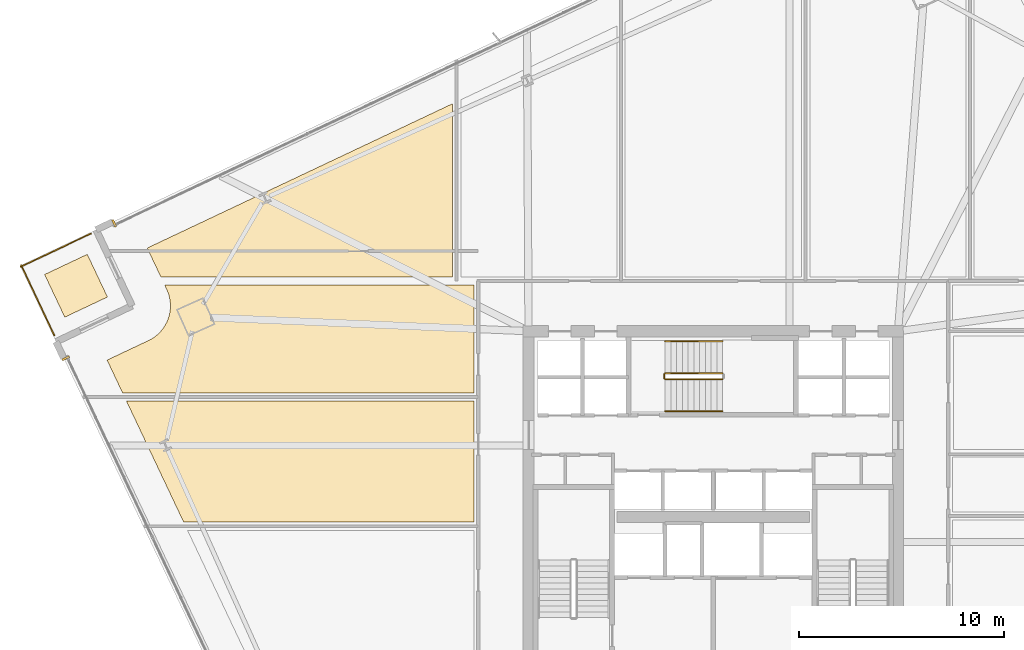
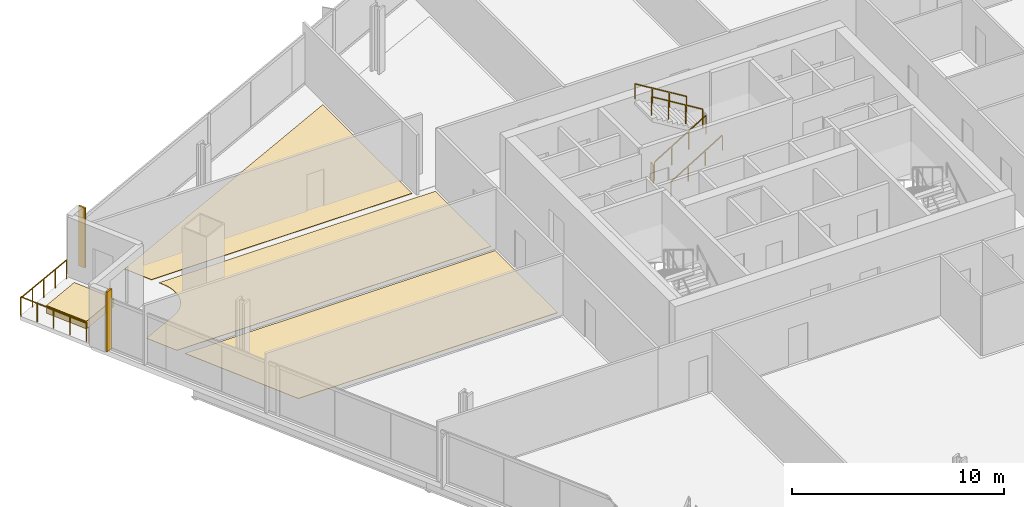
# One storey, part 32 of 34: 7 railings, 6 coverings.
"""IFC4 building model written with IfcOpenShell, lengths in metres."""

from ifc_helpers import new_model, si_unit, direction, frame, origin, origin_2d, place, context, subcontext, project, spatial, polyline, rectangle, outline, extrude, source, transform, mapped, material, layer, layer_set, type_object, element, save


model = new_model("IFC4")

# Units and contexts
model_context = context("Model", 3, precision=1e-05, world=origin(), true_north=direction((0.0, 1.0)))
body_context = subcontext(model_context, "Body", "Model", "MODEL_VIEW")
ifc_project = project(units=[si_unit("LENGTHUNIT", "METRE"), si_unit("AREAUNIT", "SQUARE_METRE"), si_unit("VOLUMEUNIT", "CUBIC_METRE"), si_unit("PLANEANGLEUNIT", "RADIAN"), si_unit("MASSUNIT", "GRAM", prefix="KILO")], contexts=[model_context])

# Site, building, storey
site_placement = place(None, origin())
site = spatial("IfcSite", under=ifc_project, at=site_placement, CompositionType="ELEMENT")
building_placement = place(site_placement, origin())
building = spatial("IfcBuilding", under=site, at=building_placement, Name="Haldenkirk Collegiate Tower", CompositionType="ELEMENT")
storey_placement = place(building_placement, frame((0.0, 0.0, 112.949951171875)))
storey = spatial("IfcBuildingStorey", under=building, at=storey_placement, Name="L27", CompositionType="ELEMENT", Elevation=112.949951171875)

# Coverings
ifc_material_1 = material(Name="Polished collegiate terrazzo", Category="concrete")
ifc_layer_1 = layer(ifc_material_1, 0.02490234375)
ifc_layer_set_1 = layer_set([ifc_layer_1], Name="Polished collegiate terrazzo")
covering_type_1 = type_object("IfcCoveringType", Name="COV-FLOOR-TERRAZZO", PredefinedType="FLOORING", material=ifc_layer_set_1)
covering_1_placement = place(storey_placement, origin())
element("IfcCovering", 1, at=covering_1_placement, inside=storey, type_object=covering_type_1, Name="L27 academic room finish 04", PredefinedType="FLOORING", context=body_context, shape_type="SweptSolid", body=[
    extrude(outline(polyline([(23.300048828125, 45.0830078125), (23.300048828125, 36.64990234375), (9.087158203125, 36.64990234375), (8.4248046875, 38.051513671875), (23.300048828125, 45.0830078125)])), origin(), (0.0, 0.0, 1.0), 0.025146484375),
])
covering_2_placement = place(storey_placement, origin())
element("IfcCovering", 2, at=covering_2_placement, inside=storey, type_object=covering_type_1, Name="L27 academic room finish 10", PredefinedType="FLOORING", context=body_context, shape_type="SweptSolid", body=[
    extrude(outline(polyline([(7.412109375, 30.60009765625), (24.35009765625, 30.60009765625), (24.35009765625, 24.699951171875), (10.200927734375, 24.699951171875), (7.412109375, 30.60009765625)])), origin(), (0.0, 0.0, 1.0), 0.025146484375),
])
ifc_material_2 = material(Name="Engineered collegiate oak acoustic flooring", Category="wood")
ifc_layer_2 = layer(ifc_material_2, 0.02197265625)
ifc_layer_set_2 = layer_set([ifc_layer_2], Name="Engineered collegiate oak acoustic flooring")
covering_type_2 = type_object("IfcCoveringType", Name="COV-FLOOR-TIMBER", PredefinedType="FLOORING", material=ifc_layer_set_2)
covering_3_placement = place(storey_placement, origin())
element("IfcCovering", 3, at=covering_3_placement, inside=storey, type_object=covering_type_2, Name="L27 academic room finish 11", PredefinedType="FLOORING", context=body_context, shape_type="SweptSolid", body=[
    extrude(outline(polyline([(8.486328125, 33.545654296875), (8.491455078125, 33.548095703125), (8.64306640625, 33.629150390625), (8.6533203125, 33.63525390625), (8.7958984375, 33.730712890625), (8.805419921875, 33.737548828125), (8.938232421875, 33.846435546875), (8.947021484375, 33.8544921875), (9.068359375, 33.975830078125), (9.076171875, 33.984619140625), (9.185302734375, 34.1171875), (9.1923828125, 34.126708984375), (9.28759765625, 34.26953125), (9.293701171875, 34.279541015625), (9.374755859375, 34.430908203125), (9.379638671875, 34.441650390625), (9.445556640625, 34.600341796875), (9.449462890625, 34.611328125), (9.49951171875, 34.775634765625), (9.502197265625, 34.787109375), (9.535888671875, 34.95556640625), (9.53759765625, 34.96728515625), (9.554443359375, 35.13818359375), (9.554931640625, 35.14990234375), (9.554931640625, 35.32177734375), (9.554443359375, 35.33349609375), (9.53759765625, 35.50439453125), (9.535888671875, 35.515869140625), (9.50244140625, 35.684326171875), (9.49951171875, 35.69580078125), (9.44970703125, 35.8603515625), (9.44580078125, 35.87109375), (9.380126953125, 36.02978515625), (9.377685546875, 36.035400390625), (9.2763671875, 36.25), (24.35009765625, 36.25), (24.35009765625, 31.0), (7.222900390625, 31.0), (6.47021484375, 32.592529296875), (8.486328125, 33.545654296875)])), origin(), (0.0, 0.0, 1.0), 0.02197265625),
])
ifc_material_3 = material(Name="Precast concrete f'c 40 MPa", Category="concrete")
ifc_layer_3 = layer(ifc_material_3, 0.449951171875)
ifc_layer_set_3 = layer_set([ifc_layer_3], Name="Precast concrete f'c 40 MPa")
covering_type_3 = type_object("IfcCoveringType", Name="COV-PLANTER-450", PredefinedType="USERDEFINED", material=ifc_layer_set_3)
covering_4_placement = place(storey_placement, origin())
element("IfcCovering", 4, at=covering_4_placement, inside=storey, type_object=covering_type_3, Name="L27 planted garden planter bed", ObjectType="PLANTER", PredefinedType="USERDEFINED", context=body_context, shape_type="SweptSolid", body=[
    extrude(outline(polyline([(4.409423828125, 34.682373046875), (3.426513671875, 36.76171875), (5.505859375, 37.74462890625), (6.48876953125, 35.665283203125), (4.409423828125, 34.682373046875)])), origin(), (0.0, 0.0, 1.0), 0.449951171875),
])

# Railings
ifc_material_4 = material(Name="Painted architectural tubular steel", Category="steel")
railing_type_1 = type_object("IfcRailingType", Name="RLG-STAIR-GUARD-1100", PredefinedType="BALUSTRADE", material=ifc_material_4)
railing_1_placement = place(storey_placement, frame((33.64990234375, 31.64990234375, 0.17041015625)))
element("IfcRailing", 5, at=railing_1_placement, inside=storey, type_object=railing_type_1, Name="L27 ST-3 stair guard 1", PredefinedType="BALUSTRADE", context=body_context, shape_type="SweptSolid", body=[
    extrude(rectangle(XDim=0.048095703125, YDim=0.048095703125, at=origin_2d()), frame((0.0, 0.0, 1.076171875), z_axis=(0.854169791009, 0.0, 0.51999420009), x_axis=(0.0, 1.0, 0.0)), (0.0, 0.0, 1.0), 3.278076171875),
    extrude(rectangle(XDim=0.0419921875, YDim=0.0419921875, at=origin_2d()), origin(), (0.0, 0.0, 1.0), 1.052001953125),
    extrude(rectangle(XDim=0.0419921875, YDim=0.0419921875, at=origin_2d()), frame((0.933349609375, 0.0, 0.568115234375)), (0.0, 0.0, 1.0), 1.052001953125),
    extrude(rectangle(XDim=0.0419921875, YDim=0.0419921875, at=origin_2d()), frame((1.86669921875, 0.0, 1.136474609375)), (0.0, 0.0, 1.0), 1.052001953125),
    extrude(rectangle(XDim=0.0419921875, YDim=0.0419921875, at=origin_2d()), frame((2.800048828125, 0.0, 1.70458984375)), (0.0, 0.0, 1.0), 1.052001953125),
])
railing_2_placement = place(storey_placement, frame((36.449951171875, 31.949951171875, 2.04541015625)))
element("IfcRailing", 6, at=railing_2_placement, inside=storey, type_object=railing_type_1, Name="L27 ST-3 stair guard 3", PredefinedType="BALUSTRADE", context=body_context, shape_type="SweptSolid", body=[
    extrude(rectangle(XDim=0.048095703125, YDim=0.048095703125, at=origin_2d()), frame((0.0, 0.0, 1.076171875), z_axis=(-0.854169791009, 0.0, 0.51999420009), x_axis=(0.0, -1.0, 0.0)), (0.0, 0.0, 1.0), 3.278076171875),
    extrude(rectangle(XDim=0.0419921875, YDim=0.0419921875, at=origin_2d()), origin(), (0.0, 0.0, 1.0), 1.052001953125),
    extrude(rectangle(XDim=0.0419921875, YDim=0.0419921875, at=origin_2d()), frame((-0.933349609375, 0.0, 0.568115234375)), (0.0, 0.0, 1.0), 1.052001953125),
    extrude(rectangle(XDim=0.0419921875, YDim=0.0419921875, at=origin_2d()), frame((-1.86669921875, 0.0, 1.136474609375)), (0.0, 0.0, 1.0), 1.052001953125),
    extrude(rectangle(XDim=0.0419921875, YDim=0.0419921875, at=origin_2d()), frame((-2.800048828125, 0.0, 1.70458984375)), (0.0, 0.0, 1.0), 1.052001953125),
])
railing_3_placement = place(storey_placement, frame((33.60009765625, 31.699951171875, 0.0)))
element("IfcRailing", 7, at=railing_3_placement, inside=storey, type_object=railing_type_1, Name="L27 ST-3 stair guard 4", PredefinedType="BALUSTRADE", context=body_context, shape_type="SweptSolid", body=[
    extrude(rectangle(XDim=0.048095703125, YDim=0.048095703125, at=origin_2d()), frame((0.0, 0.0, 1.076171875), z_axis=(0.0, 1.0, 0.0), x_axis=(-1.0, 0.0, 0.0)), (0.0, 0.0, 1.0), 0.199951171875),
    extrude(rectangle(XDim=0.0419921875, YDim=0.0419921875, at=origin_2d()), origin(), (0.0, 0.0, 1.0), 1.052001953125),
    extrude(rectangle(XDim=0.0419921875, YDim=0.0419921875, at=origin_2d()), frame((0.0, 0.199951171875, 0.0)), (0.0, 0.0, 1.0), 1.052001953125),
])
railing_type_2 = type_object("IfcRailingType", Name="RLG-STAIR-HANDRAIL-900", PredefinedType="HANDRAIL", material=ifc_material_4)
railing_4_placement = place(storey_placement, frame((33.64990234375, 30.10009765625, 0.17041015625)))
element("IfcRailing", 8, at=railing_4_placement, inside=storey, type_object=railing_type_2, Name="L27 ST-3 stair handrail 1", PredefinedType="HANDRAIL", context=body_context, shape_type="SweptSolid", body=[
    extrude(rectangle(XDim=0.048095703125, YDim=0.048095703125, at=origin_2d()), frame((0.0, 0.0, 0.8759765625), z_axis=(0.854169791009, 0.0, 0.51999420009), x_axis=(0.0, 1.0, 0.0)), (0.0, 0.0, 1.0), 3.278076171875),
    extrude(rectangle(XDim=0.0419921875, YDim=0.0419921875, at=origin_2d()), origin(), (0.0, 0.0, 1.0), 0.851806640625),
    extrude(rectangle(XDim=0.0419921875, YDim=0.0419921875, at=origin_2d()), frame((0.933349609375, 0.0, 0.568115234375)), (0.0, 0.0, 1.0), 0.851806640625),
    extrude(rectangle(XDim=0.0419921875, YDim=0.0419921875, at=origin_2d()), frame((1.86669921875, 0.0, 1.136474609375)), (0.0, 0.0, 1.0), 0.851806640625),
    extrude(rectangle(XDim=0.0419921875, YDim=0.0419921875, at=origin_2d()), frame((2.800048828125, 0.0, 1.70458984375)), (0.0, 0.0, 1.0), 0.851806640625),
])
railing_5_placement = place(storey_placement, frame((36.449951171875, 33.5, 2.04541015625)))
element("IfcRailing", 9, at=railing_5_placement, inside=storey, type_object=railing_type_2, Name="L27 ST-3 stair handrail 2", PredefinedType="HANDRAIL", context=body_context, shape_type="SweptSolid", body=[
    extrude(rectangle(XDim=0.048095703125, YDim=0.048095703125, at=origin_2d()), frame((0.0, 0.0, 0.8759765625), z_axis=(-0.854169791009, 0.0, 0.51999420009), x_axis=(0.0, -1.0, 0.0)), (0.0, 0.0, 1.0), 3.278076171875),
    extrude(rectangle(XDim=0.0419921875, YDim=0.0419921875, at=origin_2d()), origin(), (0.0, 0.0, 1.0), 0.851806640625),
    extrude(rectangle(XDim=0.0419921875, YDim=0.0419921875, at=origin_2d()), frame((-0.933349609375, 0.0, 0.568115234375)), (0.0, 0.0, 1.0), 0.851806640625),
    extrude(rectangle(XDim=0.0419921875, YDim=0.0419921875, at=origin_2d()), frame((-1.86669921875, 0.0, 1.136474609375)), (0.0, 0.0, 1.0), 0.851806640625),
    extrude(rectangle(XDim=0.0419921875, YDim=0.0419921875, at=origin_2d()), frame((-2.800048828125, 0.0, 1.70458984375)), (0.0, 0.0, 1.0), 0.851806640625),
])
ifc_material_5 = material(Name="Anodised architectural bronze aluminium", Category="aluminium")
railing_type_3 = type_object("IfcRailingType", Name="RLG-TERR-BALUSTRADE-1100", PredefinedType="BALUSTRADE", material=ifc_material_5)
railing_6_placement = place(storey_placement, frame((5.67138671875, 38.751953125, 0.0)))
element("IfcRailing", 10, at=railing_6_placement, inside=storey, type_object=railing_type_3, Name="L27 terrace guard balustrade 3-1", PredefinedType="BALUSTRADE", context=body_context, shape_type="SweptSolid", body=[
    extrude(rectangle(XDim=0.048095703125, YDim=0.048095703125, at=origin_2d()), frame((0.0, 0.0, 1.076171875), z_axis=(-0.904103118411, -0.42731434715, 0.0), x_axis=(0.42731434715, -0.904103118411, 0.0)), (0.0, 0.0, 1.0), 3.780029296875),
    extrude(rectangle(XDim=0.0419921875, YDim=0.0419921875, at=origin_2d()), origin(), (0.0, 0.0, 1.0), 1.052001953125),
    extrude(rectangle(XDim=0.0419921875, YDim=0.0419921875, at=origin_2d()), frame((-0.8544921875, -0.40380859375, 0.0)), (0.0, 0.0, 1.0), 1.052001953125),
    extrude(rectangle(XDim=0.0419921875, YDim=0.0419921875, at=origin_2d()), frame((-1.708740234375, -0.8076171875, 0.0)), (0.0, 0.0, 1.0), 1.052001953125),
    extrude(rectangle(XDim=0.0419921875, YDim=0.0419921875, at=origin_2d()), frame((-2.56298828125, -1.21142578125, 0.0)), (0.0, 0.0, 1.0), 1.052001953125),
    extrude(rectangle(XDim=0.0419921875, YDim=0.0419921875, at=origin_2d()), frame((-3.41748046875, -1.615234375, 0.0)), (0.0, 0.0, 1.0), 1.052001953125),
])
railing_7_placement = place(storey_placement, frame((2.282470703125, 37.21630859375, 0.0)))
element("IfcRailing", 11, at=railing_7_placement, inside=storey, type_object=railing_type_3, Name="L27 terrace guard balustrade 4-1", PredefinedType="BALUSTRADE", context=body_context, shape_type="SweptSolid", body=[
    extrude(rectangle(XDim=0.048095703125, YDim=0.048095703125, at=origin_2d()), frame((0.0, 0.0, 1.076171875), z_axis=(0.427367139371, -0.904078164865, 0.0), x_axis=(0.904078164865, 0.427367139371, 0.0)), (0.0, 0.0, 1.0), 3.780029296875),
    extrude(rectangle(XDim=0.0419921875, YDim=0.0419921875, at=origin_2d()), origin(), (0.0, 0.0, 1.0), 1.052001953125),
    extrude(rectangle(XDim=0.0419921875, YDim=0.0419921875, at=origin_2d()), frame((0.40380859375, -0.8544921875, 0.0)), (0.0, 0.0, 1.0), 1.052001953125),
    extrude(rectangle(XDim=0.0419921875, YDim=0.0419921875, at=origin_2d()), frame((0.8076171875, -1.708740234375, 0.0)), (0.0, 0.0, 1.0), 1.052001953125),
    extrude(rectangle(XDim=0.0419921875, YDim=0.0419921875, at=origin_2d()), frame((1.211669921875, -2.56298828125, 0.0)), (0.0, 0.0, 1.0), 1.052001953125),
    extrude(rectangle(XDim=0.0419921875, YDim=0.0419921875, at=origin_2d()), frame((1.615478515625, -3.41748046875, 0.0)), (0.0, 0.0, 1.0), 1.052001953125),
])

# Coverings
ifc_layer_4 = layer(ifc_material_5, 0.06005859375)
ifc_layer_set_4 = layer_set([ifc_layer_4], Name="Anodised architectural bronze aluminium")
covering_type_4 = type_object("IfcCoveringType", Name="COV-CLAD-BRONZE-60", PredefinedType="CLADDING", material=ifc_layer_set_4)
shared_shape = source(origin(), body_context, "Body", "SweptSolid", [
    extrude(rectangle(XDim=0.10009765625, YDim=0.3798828125, at=origin_2d()), origin(), (0.0, 0.0, 1.0), 3.449951171875),
])
for number, where, z_axis, x_axis, name in (
    (12, (6.814208984375, 39.259033203125, 0.0), (0.0, 0.0, 1.0), (0.904082549661, 0.427357863387, 0.0), "L27 recessed curtain-wall bronze jamb closure NJL"),
    (13, (4.459228515625, 32.681640625, 0.0), (0.0, 0.0, 1.0), (-0.427357863387, 0.904082549661, 0.0), "L27 recessed curtain-wall bronze jamb closure WJR"),
):
    element("IfcCovering", number, at=place(storey_placement, frame(where, z_axis=z_axis, x_axis=x_axis)), inside=storey, type_object=covering_type_4, Name=name, PredefinedType="CLADDING", context=body_context, shape_type="MappedRepresentation", body=[
        mapped(shared_shape, transform((0.0, 0.0, 0.0), x_axis=(1.0, 0.0, 0.0), y_axis=(0.0, 1.0, 0.0), z_axis=(0.0, 0.0, 1.0), scale=1.0)),
    ])

save(model, "model.ifc")
